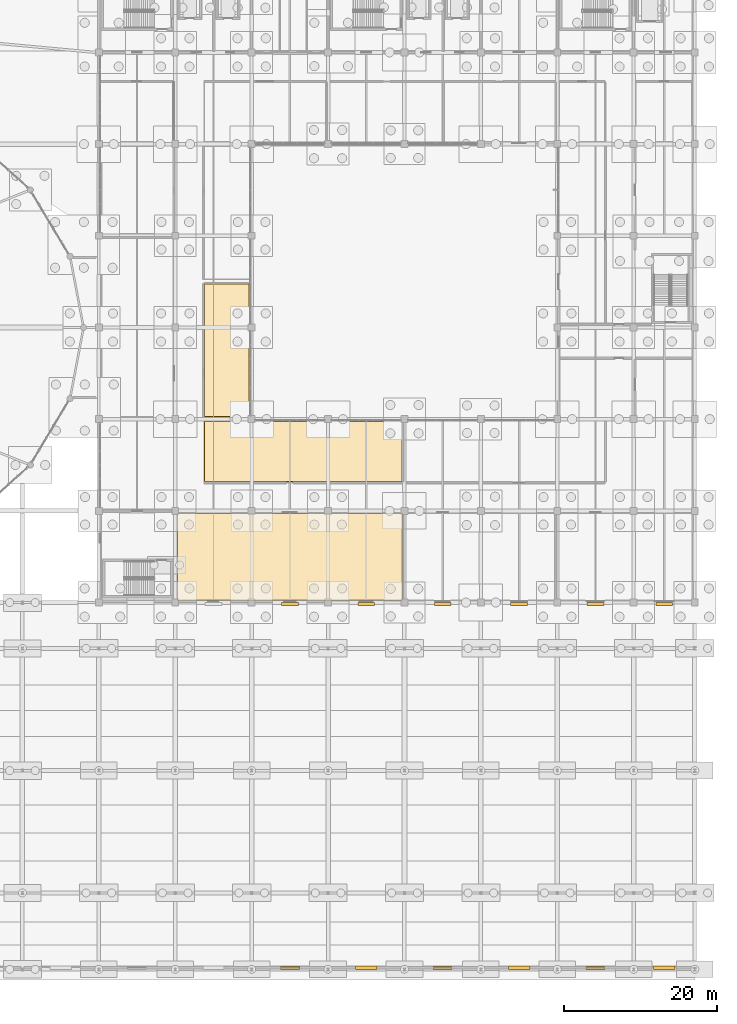
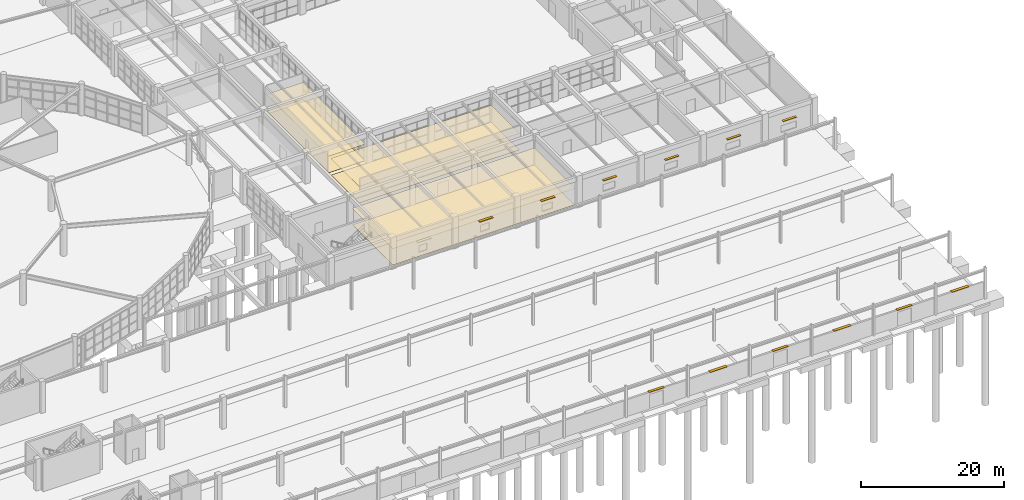
# One storey, part 94 of 99: 12 shading devices, 6 coverings.
"""IFC4 building model written with IfcOpenShell, lengths in metres."""

from ifc_helpers import new_model, si_unit, direction, frame, origin, origin_2d, place, context, subcontext, project, spatial, polyline, rectangle, outline, extrude, material, layer, layer_set, type_object, element, save


model = new_model("IFC4")

# Units and contexts
model_context = context("Model", 3, precision=1e-05, world=origin(), true_north=direction((0.0, 1.0)))
body_context = subcontext(model_context, "Body", "Model", "MODEL_VIEW")
ifc_project = project(units=[si_unit("LENGTHUNIT", "METRE"), si_unit("AREAUNIT", "SQUARE_METRE"), si_unit("VOLUMEUNIT", "CUBIC_METRE"), si_unit("PLANEANGLEUNIT", "RADIAN"), si_unit("MASSUNIT", "GRAM", prefix="KILO")], contexts=[model_context])

# Site, building, storey
site_placement = place(None, origin())
site = spatial("IfcSite", under=ifc_project, at=site_placement, CompositionType="ELEMENT")
building_placement = place(site_placement, origin())
building = spatial("IfcBuilding", under=site, at=building_placement, Name="Kivolera Central Railway Station", CompositionType="ELEMENT")
storey_placement = place(building_placement, origin())
storey = spatial("IfcBuildingStorey", under=building, at=storey_placement, Name="L00", CompositionType="ELEMENT", Elevation=0.0)

# Shading devices
ifc_material_1 = material(Name="Anodised aluminium", Category="aluminium")
ifc_layer_1 = layer(ifc_material_1, 0.080078125, Name="Anodised aluminium")
ifc_layer_set_1 = layer_set([ifc_layer_1], Name="Anodised aluminium")
shading_device_type_1 = type_object("IfcShadingDeviceType", Name="BS-LVR-A", PredefinedType="JALOUSIE", material=ifc_layer_set_1)
for number, where, z_axis, x_axis, name in (
    (1, (153.0, 6.199951171875, 2.845947265625), (0.0, 0.0, 1.0), (1.0, 0.0, 0.0), "Platform Monsoon Wind-Baffle Louvre 15"),
    (2, (173.0, 6.199951171875, 2.845947265625), (0.0, 0.0, 1.0), (1.0, 0.0, 0.0), "Platform Monsoon Wind-Baffle Louvre 17"),
    (3, (192.0, 6.199951171875, 2.845947265625), (0.0, 0.0, 1.0), (1.0, 0.0, 0.0), "Platform Monsoon Wind-Baffle Louvre 19"),
):
    element("IfcShadingDevice", number, at=place(storey_placement, frame(where, z_axis=z_axis, x_axis=x_axis)), inside=storey, type_object=shading_device_type_1, Name=name, PredefinedType="JALOUSIE", context=body_context, shape_type="SweptSolid", body=[
        extrude(rectangle(XDim=2.800048828125, YDim=0.449951171875, at=origin_2d()), origin(), (0.0, 0.0, 1.0), 0.080078125),
    ])
ifc_layer_2 = layer(ifc_material_1, 0.080078125, Name="Anodised aluminium")
ifc_layer_set_2 = layer_set([ifc_layer_2], Name="Anodised aluminium")
shading_device_type_2 = type_object("IfcShadingDeviceType", Name="BS-LVR-B", PredefinedType="JALOUSIE", material=ifc_layer_set_2)
for number, where, z_axis, x_axis, name in (
    (4, (143.0, 53.80810546875, 3.010009765625), (0.0, 0.0, 1.0), (1.0, 0.0, 0.0), "L00 South Monsoon Window Sun-Louvre 138"),
    (5, (153.0, 53.80810546875, 3.010009765625), (0.0, 0.0, 1.0), (1.0, 0.0, 0.0), "L00 South Monsoon Window Sun-Louvre 148"),
    (6, (163.0, 53.80810546875, 3.010009765625), (0.0, 0.0, 1.0), (1.0, 0.0, 0.0), "L00 South Monsoon Window Sun-Louvre 158"),
    (7, (173.0, 53.80810546875, 3.010009765625), (0.0, 0.0, 1.0), (1.0, 0.0, 0.0), "L00 South Monsoon Window Sun-Louvre 168"),
    (8, (183.0, 53.80810546875, 3.010009765625), (0.0, 0.0, 1.0), (1.0, 0.0, 0.0), "L00 South Monsoon Window Sun-Louvre 178"),
    (9, (192.0, 53.80810546875, 3.010009765625), (0.0, 0.0, 1.0), (1.0, 0.0, 0.0), "L00 South Monsoon Window Sun-Louvre 188"),
):
    element("IfcShadingDevice", number, at=place(storey_placement, frame(where, z_axis=z_axis, x_axis=x_axis)), inside=storey, type_object=shading_device_type_2, Name=name, PredefinedType="JALOUSIE", context=body_context, shape_type="SweptSolid", body=[
        extrude(rectangle(XDim=2.199951171875, YDim=0.39990234375, at=origin_2d()), origin(), (0.0, 0.0, 1.0), 0.080078125),
    ])
ifc_layer_3 = layer(ifc_material_1, 0.0849609375, Name="Anodised aluminium")
ifc_layer_set_3 = layer_set([ifc_layer_3], Name="Anodised aluminium")
shading_device_type_3 = type_object("IfcShadingDeviceType", Name="BS-LVR-C", PredefinedType="JALOUSIE", material=ifc_layer_set_3)
for number, where, z_axis, x_axis, name in (
    (10, (143.0, 6.199951171875, 2.846435546875), (0.0, 0.0, 1.0), (1.0, 0.0, 0.0), "Platform Monsoon Wind-Baffle Louvre 14"),
    (11, (163.0, 6.199951171875, 2.846435546875), (0.0, 0.0, 1.0), (1.0, 0.0, 0.0), "Platform Monsoon Wind-Baffle Louvre 16"),
    (12, (183.0, 6.199951171875, 2.846435546875), (0.0, 0.0, 1.0), (1.0, 0.0, 0.0), "Platform Monsoon Wind-Baffle Louvre 18"),
):
    element("IfcShadingDevice", number, at=place(storey_placement, frame(where, z_axis=z_axis, x_axis=x_axis)), inside=storey, type_object=shading_device_type_3, Name=name, PredefinedType="JALOUSIE", context=body_context, shape_type="SweptSolid", body=[
        extrude(rectangle(XDim=2.5, YDim=0.419921875, at=origin_2d()), origin(), (0.0, 0.0, 1.0), 0.0849609375),
    ])

# Coverings
ifc_material_2 = material(Name="Mineral fibre acoustic tile")
ifc_layer_4 = layer(ifc_material_2, 0.02001953125, Name="Mineral fibre acoustic tile")
ifc_layer_set_4 = layer_set([ifc_layer_4], Name="Mineral fibre acoustic tile")
covering_type_1 = type_object("IfcCoveringType", Name="COV-CEIL-20", PredefinedType="CEILING", material=ifc_layer_set_4)
covering_1_placement = place(storey_placement, frame((0.0, 0.0, 2.85009765625)))
element("IfcCovering", 13, at=covering_1_placement, inside=storey, type_object=covering_type_1, Name="L00 Intercity Parcel and Freight Dispatch Hall Acoustic Ceiling", PredefinedType="CEILING", context=body_context, shape_type="SweptSolid", body=[
    extrude(outline(polyline([(128.280029296875, 54.280029296875), (157.719970703125, 54.280029296875), (157.719970703125, 65.719970703125), (128.280029296875, 65.719970703125), (128.280029296875, 54.280029296875)])), origin(), (0.0, 0.0, 1.0), 0.02001953125),
])
covering_2_placement = place(storey_placement, frame((0.0, 0.0, 2.85009765625)))
element("IfcCovering", 14, at=covering_2_placement, inside=storey, type_object=covering_type_1, Name="L00 Parcel Customer Reception Lounge Acoustic Ceiling", PredefinedType="CEILING", context=body_context, shape_type="SweptSolid", body=[
    extrude(outline(polyline([(131.780029296875, 69.780029296875), (157.719970703125, 69.780029296875), (157.719970703125, 77.719970703125), (131.780029296875, 77.719970703125), (131.780029296875, 69.780029296875)])), origin(), (0.0, 0.0, 1.0), 0.02001953125),
])
ifc_material_3 = material(Name="Hardwood mvule timber", Category="wood")
ifc_layer_5 = layer(ifc_material_3, 0.02490234375, Name="Hardwood mvule timber")
ifc_layer_set_5 = layer_set([ifc_layer_5], Name="Hardwood mvule timber")
covering_type_2 = type_object("IfcCoveringType", Name="COV-CEIL-25", PredefinedType="CEILING", material=ifc_layer_set_5)
covering_3_placement = place(storey_placement, frame((0.0, 0.0, 2.85009765625)))
element("IfcCovering", 15, at=covering_3_placement, inside=storey, type_object=covering_type_2, Name="L00 Arcade Bakery Retail Shop Acoustic Ceiling", PredefinedType="CEILING", context=body_context, shape_type="SweptSolid", body=[
    extrude(outline(polyline([(131.780029296875, 78.280029296875), (137.719970703125, 78.280029296875), (137.719970703125, 95.719970703125), (131.780029296875, 95.719970703125), (131.780029296875, 78.280029296875)])), origin(), (0.0, 0.0, 1.0), 0.02490234375),
])
ifc_material_4 = material(Name="Swahili coral limestone", Category="masonry")
ifc_layer_6 = layer(ifc_material_4, 0.034912109375, Name="Swahili coral limestone")
ifc_layer_set_6 = layer_set([ifc_layer_6], Name="Swahili coral limestone")
covering_type_3 = type_object("IfcCoveringType", Name="COV-FLR-35", PredefinedType="FLOORING", material=ifc_layer_set_6)
covering_4_placement = place(storey_placement, origin())
element("IfcCovering", 16, at=covering_4_placement, inside=storey, type_object=covering_type_3, Name="L00 Arcade Bakery Retail Shop Floor Finish", PredefinedType="FLOORING", context=body_context, shape_type="SweptSolid", body=[
    extrude(outline(polyline([(131.820068359375, 78.320068359375), (137.679931640625, 78.320068359375), (137.679931640625, 95.679931640625), (131.820068359375, 95.679931640625), (131.820068359375, 78.320068359375)])), origin(), (0.0, 0.0, 1.0), 0.034912109375),
])
covering_5_placement = place(storey_placement, origin())
element("IfcCovering", 17, at=covering_5_placement, inside=storey, type_object=covering_type_3, Name="L00 Intercity Parcel and Freight Dispatch Hall Floor Finish", PredefinedType="FLOORING", context=body_context, shape_type="SweptSolid", body=[
    extrude(outline(polyline([(128.320068359375, 54.320068359375), (157.679931640625, 54.320068359375), (157.679931640625, 65.679931640625), (128.320068359375, 65.679931640625), (128.320068359375, 54.320068359375)])), origin(), (0.0, 0.0, 1.0), 0.034912109375),
])
covering_6_placement = place(storey_placement, origin())
element("IfcCovering", 18, at=covering_6_placement, inside=storey, type_object=covering_type_3, Name="L00 Parcel Customer Reception Lounge Floor Finish", PredefinedType="FLOORING", context=body_context, shape_type="SweptSolid", body=[
    extrude(outline(polyline([(131.820068359375, 69.820068359375), (157.679931640625, 69.820068359375), (157.679931640625, 77.679931640625), (131.820068359375, 77.679931640625), (131.820068359375, 69.820068359375)])), origin(), (0.0, 0.0, 1.0), 0.034912109375),
])

save(model, "model.ifc")
